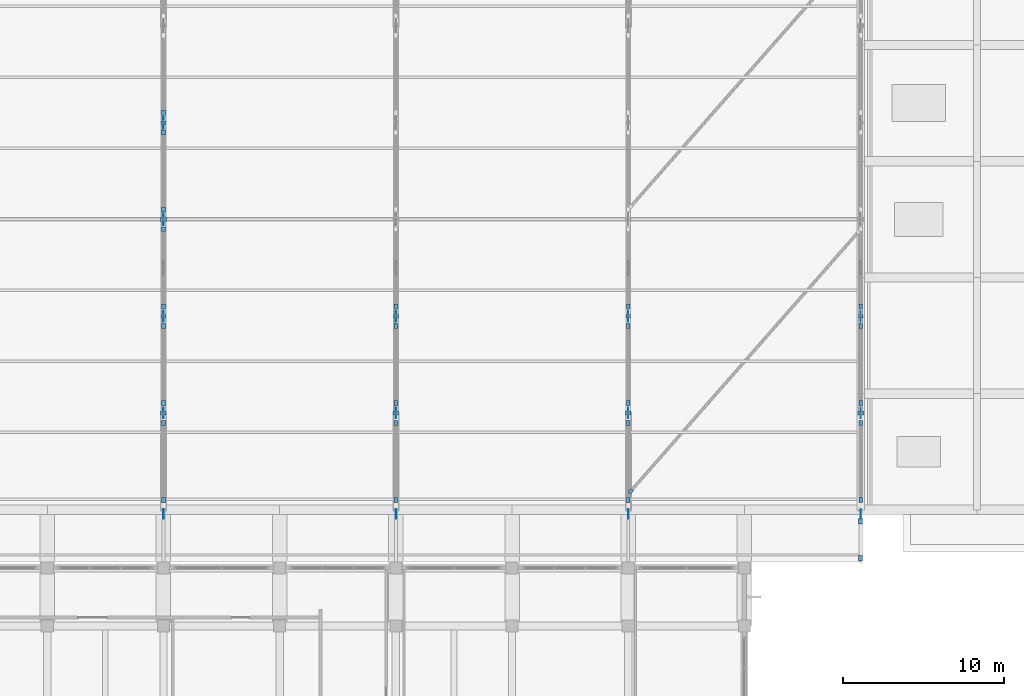
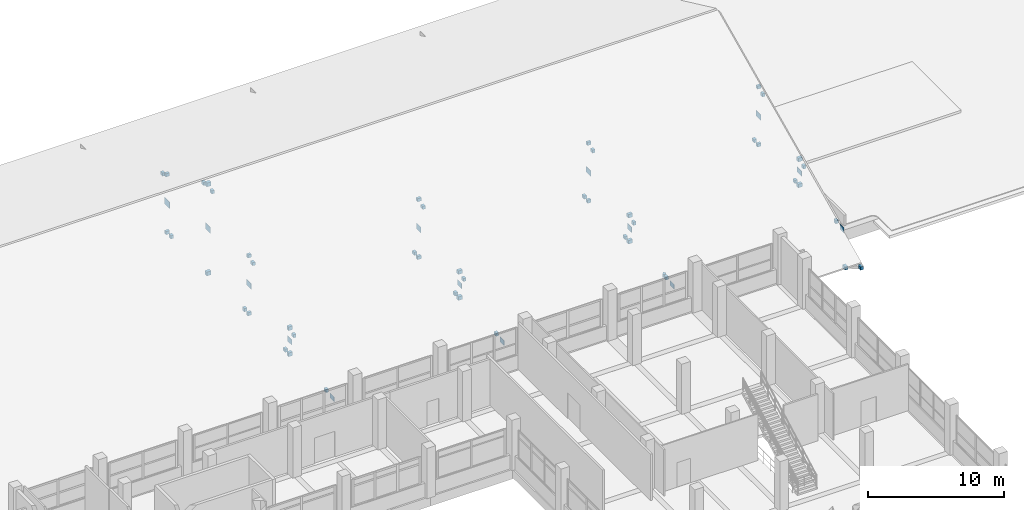
# One storey, part 124 of 141: 61 plates, 4 elements without a shape of their own.
"""IFC4 building model written with IfcOpenShell, lengths in metres."""

from ifc_helpers import new_model, si_unit, direction, frame, origin, origin_2d, place, context, subcontext, project, spatial, rectangle, extrude, material, layer, layer_set, type_object, element, aggregate, save


model = new_model("IFC4")

# Units and contexts
model_context = context("Model", 3, precision=1e-05, world=origin(), true_north=direction((0.0, 1.0)))
body_context = subcontext(model_context, "Body", "Model", "MODEL_VIEW")
ifc_project = project(units=[si_unit("LENGTHUNIT", "METRE"), si_unit("AREAUNIT", "SQUARE_METRE"), si_unit("VOLUMEUNIT", "CUBIC_METRE"), si_unit("PLANEANGLEUNIT", "RADIAN"), si_unit("MASSUNIT", "GRAM", prefix="KILO")], contexts=[model_context])

# Site, building, storey
site_placement = place(None, origin())
site = spatial("IfcSite", under=ifc_project, at=site_placement, CompositionType="ELEMENT")
building_placement = place(site_placement, origin())
building = spatial("IfcBuilding", under=site, at=building_placement, Name="Seraya Terrace Polytechnic", CompositionType="ELEMENT")
storey_placement = place(building_placement, frame((0.0, 0.0, 14.39990234375)))
storey = spatial("IfcBuildingStorey", under=building, at=storey_placement, Name="L03", CompositionType="ELEMENT", Elevation=14.39990234375)

# Assembly, plates
ifc_material = material(Name="Steel S355J2", Category="steel")
element_assembly_type = type_object("IfcElementAssemblyType", Name="TR-A1", PredefinedType="TRUSS", material=ifc_material)
assembly_1_placement = place(storey_placement, origin())
assembly_1 = element("IfcElementAssembly", 1, at=assembly_1_placement, inside=storey, type_object=element_assembly_type, Name="Pitched steel roof truss TR-05", AssemblyPlace="SITE", PredefinedType="TRUSS")
ifc_layer_1 = layer(ifc_material, 0.340087890625, Name="EP-01")
ifc_layer_set_1 = layer_set([ifc_layer_1], Name="Steel S355J2")
plate_type_1 = type_object("IfcPlateType", Name="EP-01", PredefinedType="USERDEFINED", material=ifc_layer_set_1)
plate_1_placement = place(storey_placement, frame((72.0, 97.199951171875, 0.10302734375), z_axis=(0.0, 0.0, 1.0), x_axis=(1.0, 0.0, 0.0)))
plate_1 = element("IfcPlate", 2, at=plate_1_placement, type_object=plate_type_1, Name="Hollow end-cap plate TR-05-V4 start", ObjectType="FLANGE_PLATE", PredefinedType="USERDEFINED", context=body_context, shape_type="SweptSolid", body=[
    extrude(rectangle(XDim=0.360107421875, YDim=0.280029296875, at=origin_2d()), origin(), (0.0, 0.0, 1.0), 0.340087890625),
])
plate_2_placement = place(storey_placement, frame((72.0, 97.199951171875, 8.08154296875), z_axis=(0.0, 0.0, 1.0), x_axis=(1.0, 0.0, 0.0)))
plate_2 = element("IfcPlate", 3, at=plate_2_placement, type_object=plate_type_1, Name="Hollow end-cap plate TR-05-V4 end", ObjectType="FLANGE_PLATE", PredefinedType="USERDEFINED", context=body_context, shape_type="SweptSolid", body=[
    extrude(rectangle(XDim=0.360107421875, YDim=0.280029296875, at=origin_2d()), origin(), (0.0, 0.0, 1.0), 0.340087890625),
])
ifc_layer_2 = layer(ifc_material, 0.320068359375, Name="EP-02")
ifc_layer_set_2 = layer_set([ifc_layer_2], Name="Steel S355J2")
plate_type_2 = type_object("IfcPlateType", Name="EP-02", PredefinedType="USERDEFINED", material=ifc_layer_set_2)
plate_3_placement = place(storey_placement, frame((72.0, 85.199951171875, 0.138671875), z_axis=(0.0, 0.0, 1.0), x_axis=(1.0, 0.0, 0.0)))
plate_3 = element("IfcPlate", 4, at=plate_3_placement, type_object=plate_type_2, Name="Hollow end-cap plate TR-05-V2 start", ObjectType="FLANGE_PLATE", PredefinedType="USERDEFINED", context=body_context, shape_type="SweptSolid", body=[
    extrude(rectangle(XDim=0.340087890625, YDim=0.260009765625, at=origin_2d()), origin(), (0.0, 0.0, 1.0), 0.320068359375),
])
plate_4_placement = place(storey_placement, frame((72.0, 85.199951171875, 2.4658203125), z_axis=(0.0, 0.0, 1.0), x_axis=(1.0, 0.0, 0.0)))
plate_4 = element("IfcPlate", 5, at=plate_4_placement, type_object=plate_type_2, Name="Hollow end-cap plate TR-05-V2 end", ObjectType="FLANGE_PLATE", PredefinedType="USERDEFINED", context=body_context, shape_type="SweptSolid", body=[
    extrude(rectangle(XDim=0.340087890625, YDim=0.260009765625, at=origin_2d()), origin(), (0.0, 0.0, 1.0), 0.320068359375),
])

assembly_2_placement = place(storey_placement, origin())
assembly_2 = element("IfcElementAssembly", 6, at=assembly_2_placement, inside=storey, type_object=element_assembly_type, Name="Pitched steel roof truss TR-06", AssemblyPlace="SITE", PredefinedType="TRUSS")
plate_5_placement = place(storey_placement, frame((86.39990234375, 85.199951171875, 0.138671875), z_axis=(0.0, 0.0, 1.0), x_axis=(1.0, 0.0, 0.0)))
plate_5 = element("IfcPlate", 7, at=plate_5_placement, type_object=plate_type_2, Name="Hollow end-cap plate TR-06-V2 start", ObjectType="FLANGE_PLATE", PredefinedType="USERDEFINED", context=body_context, shape_type="SweptSolid", body=[
    extrude(rectangle(XDim=0.340087890625, YDim=0.260009765625, at=origin_2d()), origin(), (0.0, 0.0, 1.0), 0.320068359375),
])
plate_6_placement = place(storey_placement, frame((86.39990234375, 85.199951171875, 2.4658203125), z_axis=(0.0, 0.0, 1.0), x_axis=(1.0, 0.0, 0.0)))
plate_6 = element("IfcPlate", 8, at=plate_6_placement, type_object=plate_type_2, Name="Hollow end-cap plate TR-06-V2 end", ObjectType="FLANGE_PLATE", PredefinedType="USERDEFINED", context=body_context, shape_type="SweptSolid", body=[
    extrude(rectangle(XDim=0.340087890625, YDim=0.260009765625, at=origin_2d()), origin(), (0.0, 0.0, 1.0), 0.320068359375),
])

assembly_3_placement = place(storey_placement, origin())
assembly_3 = element("IfcElementAssembly", 9, at=assembly_3_placement, inside=storey, type_object=element_assembly_type, Name="Pitched steel roof truss TR-07", AssemblyPlace="SITE", PredefinedType="TRUSS")
plate_7_placement = place(storey_placement, frame((100.800048828125, 85.199951171875, 0.138671875), z_axis=(0.0, 0.0, 1.0), x_axis=(1.0, 0.0, 0.0)))
plate_7 = element("IfcPlate", 10, at=plate_7_placement, type_object=plate_type_2, Name="Hollow end-cap plate TR-07-V2 start", ObjectType="FLANGE_PLATE", PredefinedType="USERDEFINED", context=body_context, shape_type="SweptSolid", body=[
    extrude(rectangle(XDim=0.340087890625, YDim=0.260009765625, at=origin_2d()), origin(), (0.0, 0.0, 1.0), 0.320068359375),
])
plate_8_placement = place(storey_placement, frame((100.800048828125, 85.199951171875, 2.4658203125), z_axis=(0.0, 0.0, 1.0), x_axis=(1.0, 0.0, 0.0)))
plate_8 = element("IfcPlate", 11, at=plate_8_placement, type_object=plate_type_2, Name="Hollow end-cap plate TR-07-V2 end", ObjectType="FLANGE_PLATE", PredefinedType="USERDEFINED", context=body_context, shape_type="SweptSolid", body=[
    extrude(rectangle(XDim=0.340087890625, YDim=0.260009765625, at=origin_2d()), origin(), (0.0, 0.0, 1.0), 0.320068359375),
])

assembly_4_placement = place(storey_placement, origin())
assembly_4 = element("IfcElementAssembly", 12, at=assembly_4_placement, inside=storey, type_object=element_assembly_type, Name="Pitched steel roof truss TR-08", AssemblyPlace="SITE", PredefinedType="TRUSS")
plate_9_placement = place(storey_placement, frame((115.199951171875, 85.199951171875, 0.138671875), z_axis=(0.0, 0.0, 1.0), x_axis=(1.0, 0.0, 0.0)))
plate_9 = element("IfcPlate", 13, at=plate_9_placement, type_object=plate_type_2, Name="Hollow end-cap plate TR-08-V2 start", ObjectType="FLANGE_PLATE", PredefinedType="USERDEFINED", context=body_context, shape_type="SweptSolid", body=[
    extrude(rectangle(XDim=0.340087890625, YDim=0.260009765625, at=origin_2d()), origin(), (0.0, 0.0, 1.0), 0.320068359375),
])
plate_10_placement = place(storey_placement, frame((115.199951171875, 85.199951171875, 2.4658203125), z_axis=(0.0, 0.0, 1.0), x_axis=(1.0, 0.0, 0.0)))
plate_10 = element("IfcPlate", 14, at=plate_10_placement, type_object=plate_type_2, Name="Hollow end-cap plate TR-08-V2 end", ObjectType="FLANGE_PLATE", PredefinedType="USERDEFINED", context=body_context, shape_type="SweptSolid", body=[
    extrude(rectangle(XDim=0.340087890625, YDim=0.260009765625, at=origin_2d()), origin(), (0.0, 0.0, 1.0), 0.320068359375),
])

# Plate
ifc_layer_3 = layer(ifc_material, 0.280029296875, Name="EP-03")
ifc_layer_set_3 = layer_set([ifc_layer_3], Name="Steel S355J2")
plate_type_3 = type_object("IfcPlateType", Name="EP-03", PredefinedType="USERDEFINED", material=ifc_layer_set_3)
plate_11_placement = place(storey_placement, frame((72.0, 91.199951171875, 0.13330078125), z_axis=(0.0, 0.0, 1.0), x_axis=(1.0, 0.0, 0.0)))
plate_11 = element("IfcPlate", 15, at=plate_11_placement, type_object=plate_type_3, Name="Hollow end-cap plate TR-05-V3 start", ObjectType="FLANGE_PLATE", PredefinedType="USERDEFINED", context=body_context, shape_type="SweptSolid", body=[
    extrude(rectangle(XDim=0.300048828125, YDim=0.219970703125, at=origin_2d()), origin(), (0.0, 0.0, 1.0), 0.280029296875),
])

plate_12_placement = place(storey_placement, frame((72.0, 91.199951171875, 5.3115234375), z_axis=(0.0, 0.0, 1.0), x_axis=(1.0, 0.0, 0.0)))
plate_12 = element("IfcPlate", 16, at=plate_12_placement, type_object=plate_type_3, Name="Hollow end-cap plate TR-05-V3 end", ObjectType="FLANGE_PLATE", PredefinedType="USERDEFINED", context=body_context, shape_type="SweptSolid", body=[
    extrude(rectangle(XDim=0.300048828125, YDim=0.219970703125, at=origin_2d()), origin(), (0.0, 0.0, 1.0), 0.280029296875),
])

plate_13_placement = place(storey_placement, frame((72.0, 103.199951171875, 0.13330078125), z_axis=(0.0, 0.0, 1.0), x_axis=(1.0, 0.0, 0.0)))
plate_13 = element("IfcPlate", 17, at=plate_13_placement, type_object=plate_type_3, Name="Hollow end-cap plate TR-05-V5 start", ObjectType="FLANGE_PLATE", PredefinedType="USERDEFINED", context=body_context, shape_type="SweptSolid", body=[
    extrude(rectangle(XDim=0.300048828125, YDim=0.219970703125, at=origin_2d()), origin(), (0.0, 0.0, 1.0), 0.280029296875),
])

plate_14_placement = place(storey_placement, frame((72.0, 103.199951171875, 5.3115234375), z_axis=(0.0, 0.0, 1.0), x_axis=(1.0, 0.0, 0.0)))
plate_14 = element("IfcPlate", 18, at=plate_14_placement, type_object=plate_type_3, Name="Hollow end-cap plate TR-05-V5 end", ObjectType="FLANGE_PLATE", PredefinedType="USERDEFINED", context=body_context, shape_type="SweptSolid", body=[
    extrude(rectangle(XDim=0.300048828125, YDim=0.219970703125, at=origin_2d()), origin(), (0.0, 0.0, 1.0), 0.280029296875),
])

plate_15_placement = place(storey_placement, frame((72.0, 79.8125, 0.17333984375), z_axis=(0.0, 0.0, 1.0), x_axis=(0.0, 1.0, 0.0)))
plate_15 = element("IfcPlate", 19, at=plate_15_placement, type_object=plate_type_3, Name="Hollow end-cap plate TR-05-D1 start", ObjectType="FLANGE_PLATE", PredefinedType="USERDEFINED", context=body_context, shape_type="SweptSolid", body=[
    extrude(rectangle(XDim=0.300048828125, YDim=0.219970703125, at=origin_2d()), origin(), (0.0, 0.0, 1.0), 0.280029296875),
])

plate_16_placement = place(storey_placement, frame((72.0, 84.58740234375, 2.181640625), z_axis=(0.0, 0.0, 1.0), x_axis=(0.0, 1.0, 0.0)))
plate_16 = element("IfcPlate", 20, at=plate_16_placement, type_object=plate_type_3, Name="Hollow end-cap plate TR-05-D1 end", ObjectType="FLANGE_PLATE", PredefinedType="USERDEFINED", context=body_context, shape_type="SweptSolid", body=[
    extrude(rectangle(XDim=0.300048828125, YDim=0.219970703125, at=origin_2d()), origin(), (0.0, 0.0, 1.0), 0.280029296875),
])

plate_17_placement = place(storey_placement, frame((72.0, 85.814453125, 0.1455078125), z_axis=(0.0, 0.0, 1.0), x_axis=(0.0, 1.0, 0.0)))
plate_17 = element("IfcPlate", 21, at=plate_17_placement, type_object=plate_type_3, Name="Hollow end-cap plate TR-05-D2 start", ObjectType="FLANGE_PLATE", PredefinedType="USERDEFINED", context=body_context, shape_type="SweptSolid", body=[
    extrude(rectangle(XDim=0.300048828125, YDim=0.219970703125, at=origin_2d()), origin(), (0.0, 0.0, 1.0), 0.280029296875),
])

plate_18_placement = place(storey_placement, frame((72.0, 90.585693359375, 5.009765625), z_axis=(0.0, 0.0, 1.0), x_axis=(0.0, 1.0, 0.0)))
plate_18 = element("IfcPlate", 22, at=plate_18_placement, type_object=plate_type_3, Name="Hollow end-cap plate TR-05-D2 end", ObjectType="FLANGE_PLATE", PredefinedType="USERDEFINED", context=body_context, shape_type="SweptSolid", body=[
    extrude(rectangle(XDim=0.300048828125, YDim=0.219970703125, at=origin_2d()), origin(), (0.0, 0.0, 1.0), 0.280029296875),
])

plate_19_placement = place(storey_placement, frame((72.0, 91.81591796875, 0.14404296875), z_axis=(0.0, 0.0, 1.0), x_axis=(0.0, 1.0, 0.0)))
plate_19 = element("IfcPlate", 23, at=plate_19_placement, type_object=plate_type_3, Name="Hollow end-cap plate TR-05-D3 start", ObjectType="FLANGE_PLATE", PredefinedType="USERDEFINED", context=body_context, shape_type="SweptSolid", body=[
    extrude(rectangle(XDim=0.300048828125, YDim=0.219970703125, at=origin_2d()), origin(), (0.0, 0.0, 1.0), 0.280029296875),
])

plate_20_placement = place(storey_placement, frame((72.0, 96.584228515625, 7.81103515625), z_axis=(0.0, 0.0, 1.0), x_axis=(0.0, 1.0, 0.0)))
plate_20 = element("IfcPlate", 24, at=plate_20_placement, type_object=plate_type_3, Name="Hollow end-cap plate TR-05-D3 end", ObjectType="FLANGE_PLATE", PredefinedType="USERDEFINED", context=body_context, shape_type="SweptSolid", body=[
    extrude(rectangle(XDim=0.300048828125, YDim=0.219970703125, at=origin_2d()), origin(), (0.0, 0.0, 1.0), 0.280029296875),
])

plate_21_placement = place(storey_placement, frame((72.0, 97.81591796875, 7.81103515625), z_axis=(0.0, 0.0, 1.0), x_axis=(0.0, 1.0, 0.0)))
plate_21 = element("IfcPlate", 25, at=plate_21_placement, type_object=plate_type_3, Name="Hollow end-cap plate TR-05-D4 start", ObjectType="FLANGE_PLATE", PredefinedType="USERDEFINED", context=body_context, shape_type="SweptSolid", body=[
    extrude(rectangle(XDim=0.300048828125, YDim=0.219970703125, at=origin_2d()), origin(), (0.0, 0.0, 1.0), 0.280029296875),
])

plate_22_placement = place(storey_placement, frame((72.0, 102.584228515625, 0.14404296875), z_axis=(0.0, 0.0, 1.0), x_axis=(0.0, 1.0, 0.0)))
plate_22 = element("IfcPlate", 26, at=plate_22_placement, type_object=plate_type_3, Name="Hollow end-cap plate TR-05-D4 end", ObjectType="FLANGE_PLATE", PredefinedType="USERDEFINED", context=body_context, shape_type="SweptSolid", body=[
    extrude(rectangle(XDim=0.300048828125, YDim=0.219970703125, at=origin_2d()), origin(), (0.0, 0.0, 1.0), 0.280029296875),
])

plate_23_placement = place(storey_placement, frame((72.0, 103.814453125, 5.009765625), z_axis=(0.0, 0.0, 1.0), x_axis=(0.0, 1.0, 0.0)))
plate_23 = element("IfcPlate", 27, at=plate_23_placement, type_object=plate_type_3, Name="Hollow end-cap plate TR-05-D5 start", ObjectType="FLANGE_PLATE", PredefinedType="USERDEFINED", context=body_context, shape_type="SweptSolid", body=[
    extrude(rectangle(XDim=0.300048828125, YDim=0.219970703125, at=origin_2d()), origin(), (0.0, 0.0, 1.0), 0.280029296875),
])

plate_24_placement = place(storey_placement, frame((86.39990234375, 91.199951171875, 0.13330078125), z_axis=(0.0, 0.0, 1.0), x_axis=(1.0, 0.0, 0.0)))
plate_24 = element("IfcPlate", 28, at=plate_24_placement, type_object=plate_type_3, Name="Hollow end-cap plate TR-06-V3 start", ObjectType="FLANGE_PLATE", PredefinedType="USERDEFINED", context=body_context, shape_type="SweptSolid", body=[
    extrude(rectangle(XDim=0.300048828125, YDim=0.219970703125, at=origin_2d()), origin(), (0.0, 0.0, 1.0), 0.280029296875),
])

plate_25_placement = place(storey_placement, frame((86.39990234375, 91.199951171875, 5.3115234375), z_axis=(0.0, 0.0, 1.0), x_axis=(1.0, 0.0, 0.0)))
plate_25 = element("IfcPlate", 29, at=plate_25_placement, type_object=plate_type_3, Name="Hollow end-cap plate TR-06-V3 end", ObjectType="FLANGE_PLATE", PredefinedType="USERDEFINED", context=body_context, shape_type="SweptSolid", body=[
    extrude(rectangle(XDim=0.300048828125, YDim=0.219970703125, at=origin_2d()), origin(), (0.0, 0.0, 1.0), 0.280029296875),
])

plate_26_placement = place(storey_placement, frame((86.39990234375, 79.8125, 0.17333984375), z_axis=(0.0, 0.0, 1.0), x_axis=(0.0, 1.0, 0.0)))
plate_26 = element("IfcPlate", 30, at=plate_26_placement, type_object=plate_type_3, Name="Hollow end-cap plate TR-06-D1 start", ObjectType="FLANGE_PLATE", PredefinedType="USERDEFINED", context=body_context, shape_type="SweptSolid", body=[
    extrude(rectangle(XDim=0.300048828125, YDim=0.219970703125, at=origin_2d()), origin(), (0.0, 0.0, 1.0), 0.280029296875),
])

plate_27_placement = place(storey_placement, frame((86.39990234375, 84.58740234375, 2.181640625), z_axis=(0.0, 0.0, 1.0), x_axis=(0.0, 1.0, 0.0)))
plate_27 = element("IfcPlate", 31, at=plate_27_placement, type_object=plate_type_3, Name="Hollow end-cap plate TR-06-D1 end", ObjectType="FLANGE_PLATE", PredefinedType="USERDEFINED", context=body_context, shape_type="SweptSolid", body=[
    extrude(rectangle(XDim=0.300048828125, YDim=0.219970703125, at=origin_2d()), origin(), (0.0, 0.0, 1.0), 0.280029296875),
])

plate_28_placement = place(storey_placement, frame((86.39990234375, 85.814453125, 0.1455078125), z_axis=(0.0, 0.0, 1.0), x_axis=(0.0, 1.0, 0.0)))
plate_28 = element("IfcPlate", 32, at=plate_28_placement, type_object=plate_type_3, Name="Hollow end-cap plate TR-06-D2 start", ObjectType="FLANGE_PLATE", PredefinedType="USERDEFINED", context=body_context, shape_type="SweptSolid", body=[
    extrude(rectangle(XDim=0.300048828125, YDim=0.219970703125, at=origin_2d()), origin(), (0.0, 0.0, 1.0), 0.280029296875),
])

plate_29_placement = place(storey_placement, frame((86.39990234375, 90.585693359375, 5.009765625), z_axis=(0.0, 0.0, 1.0), x_axis=(0.0, 1.0, 0.0)))
plate_29 = element("IfcPlate", 33, at=plate_29_placement, type_object=plate_type_3, Name="Hollow end-cap plate TR-06-D2 end", ObjectType="FLANGE_PLATE", PredefinedType="USERDEFINED", context=body_context, shape_type="SweptSolid", body=[
    extrude(rectangle(XDim=0.300048828125, YDim=0.219970703125, at=origin_2d()), origin(), (0.0, 0.0, 1.0), 0.280029296875),
])

plate_30_placement = place(storey_placement, frame((86.39990234375, 91.81591796875, 0.14404296875), z_axis=(0.0, 0.0, 1.0), x_axis=(0.0, 1.0, 0.0)))
plate_30 = element("IfcPlate", 34, at=plate_30_placement, type_object=plate_type_3, Name="Hollow end-cap plate TR-06-D3 start", ObjectType="FLANGE_PLATE", PredefinedType="USERDEFINED", context=body_context, shape_type="SweptSolid", body=[
    extrude(rectangle(XDim=0.300048828125, YDim=0.219970703125, at=origin_2d()), origin(), (0.0, 0.0, 1.0), 0.280029296875),
])

plate_31_placement = place(storey_placement, frame((100.800048828125, 91.199951171875, 0.13330078125), z_axis=(0.0, 0.0, 1.0), x_axis=(1.0, 0.0, 0.0)))
plate_31 = element("IfcPlate", 35, at=plate_31_placement, type_object=plate_type_3, Name="Hollow end-cap plate TR-07-V3 start", ObjectType="FLANGE_PLATE", PredefinedType="USERDEFINED", context=body_context, shape_type="SweptSolid", body=[
    extrude(rectangle(XDim=0.300048828125, YDim=0.219970703125, at=origin_2d()), origin(), (0.0, 0.0, 1.0), 0.280029296875),
])

plate_32_placement = place(storey_placement, frame((100.800048828125, 91.199951171875, 5.3115234375), z_axis=(0.0, 0.0, 1.0), x_axis=(1.0, 0.0, 0.0)))
plate_32 = element("IfcPlate", 36, at=plate_32_placement, type_object=plate_type_3, Name="Hollow end-cap plate TR-07-V3 end", ObjectType="FLANGE_PLATE", PredefinedType="USERDEFINED", context=body_context, shape_type="SweptSolid", body=[
    extrude(rectangle(XDim=0.300048828125, YDim=0.219970703125, at=origin_2d()), origin(), (0.0, 0.0, 1.0), 0.280029296875),
])

plate_33_placement = place(storey_placement, frame((100.800048828125, 79.8125, 0.17333984375), z_axis=(0.0, 0.0, 1.0), x_axis=(0.0, 1.0, 0.0)))
plate_33 = element("IfcPlate", 37, at=plate_33_placement, type_object=plate_type_3, Name="Hollow end-cap plate TR-07-D1 start", ObjectType="FLANGE_PLATE", PredefinedType="USERDEFINED", context=body_context, shape_type="SweptSolid", body=[
    extrude(rectangle(XDim=0.300048828125, YDim=0.219970703125, at=origin_2d()), origin(), (0.0, 0.0, 1.0), 0.280029296875),
])

plate_34_placement = place(storey_placement, frame((100.800048828125, 84.58740234375, 2.181640625), z_axis=(0.0, 0.0, 1.0), x_axis=(0.0, 1.0, 0.0)))
plate_34 = element("IfcPlate", 38, at=plate_34_placement, type_object=plate_type_3, Name="Hollow end-cap plate TR-07-D1 end", ObjectType="FLANGE_PLATE", PredefinedType="USERDEFINED", context=body_context, shape_type="SweptSolid", body=[
    extrude(rectangle(XDim=0.300048828125, YDim=0.219970703125, at=origin_2d()), origin(), (0.0, 0.0, 1.0), 0.280029296875),
])

plate_35_placement = place(storey_placement, frame((100.800048828125, 85.814453125, 0.1455078125), z_axis=(0.0, 0.0, 1.0), x_axis=(0.0, 1.0, 0.0)))
plate_35 = element("IfcPlate", 39, at=plate_35_placement, type_object=plate_type_3, Name="Hollow end-cap plate TR-07-D2 start", ObjectType="FLANGE_PLATE", PredefinedType="USERDEFINED", context=body_context, shape_type="SweptSolid", body=[
    extrude(rectangle(XDim=0.300048828125, YDim=0.219970703125, at=origin_2d()), origin(), (0.0, 0.0, 1.0), 0.280029296875),
])

plate_36_placement = place(storey_placement, frame((100.800048828125, 90.585693359375, 5.009765625), z_axis=(0.0, 0.0, 1.0), x_axis=(0.0, 1.0, 0.0)))
plate_36 = element("IfcPlate", 40, at=plate_36_placement, type_object=plate_type_3, Name="Hollow end-cap plate TR-07-D2 end", ObjectType="FLANGE_PLATE", PredefinedType="USERDEFINED", context=body_context, shape_type="SweptSolid", body=[
    extrude(rectangle(XDim=0.300048828125, YDim=0.219970703125, at=origin_2d()), origin(), (0.0, 0.0, 1.0), 0.280029296875),
])

plate_37_placement = place(storey_placement, frame((100.800048828125, 91.81591796875, 0.14404296875), z_axis=(0.0, 0.0, 1.0), x_axis=(0.0, 1.0, 0.0)))
plate_37 = element("IfcPlate", 41, at=plate_37_placement, type_object=plate_type_3, Name="Hollow end-cap plate TR-07-D3 start", ObjectType="FLANGE_PLATE", PredefinedType="USERDEFINED", context=body_context, shape_type="SweptSolid", body=[
    extrude(rectangle(XDim=0.300048828125, YDim=0.219970703125, at=origin_2d()), origin(), (0.0, 0.0, 1.0), 0.280029296875),
])

plate_38_placement = place(storey_placement, frame((115.199951171875, 91.199951171875, 0.13330078125), z_axis=(0.0, 0.0, 1.0), x_axis=(1.0, 0.0, 0.0)))
plate_38 = element("IfcPlate", 42, at=plate_38_placement, type_object=plate_type_3, Name="Hollow end-cap plate TR-08-V3 start", ObjectType="FLANGE_PLATE", PredefinedType="USERDEFINED", context=body_context, shape_type="SweptSolid", body=[
    extrude(rectangle(XDim=0.300048828125, YDim=0.219970703125, at=origin_2d()), origin(), (0.0, 0.0, 1.0), 0.280029296875),
])

plate_39_placement = place(storey_placement, frame((115.199951171875, 91.199951171875, 5.3115234375), z_axis=(0.0, 0.0, 1.0), x_axis=(1.0, 0.0, 0.0)))
plate_39 = element("IfcPlate", 43, at=plate_39_placement, type_object=plate_type_3, Name="Hollow end-cap plate TR-08-V3 end", ObjectType="FLANGE_PLATE", PredefinedType="USERDEFINED", context=body_context, shape_type="SweptSolid", body=[
    extrude(rectangle(XDim=0.300048828125, YDim=0.219970703125, at=origin_2d()), origin(), (0.0, 0.0, 1.0), 0.280029296875),
])

plate_40_placement = place(storey_placement, frame((115.199951171875, 79.8125, 0.17333984375), z_axis=(0.0, 0.0, 1.0), x_axis=(0.0, 1.0, 0.0)))
plate_40 = element("IfcPlate", 44, at=plate_40_placement, type_object=plate_type_3, Name="Hollow end-cap plate TR-08-D1 start", ObjectType="FLANGE_PLATE", PredefinedType="USERDEFINED", context=body_context, shape_type="SweptSolid", body=[
    extrude(rectangle(XDim=0.300048828125, YDim=0.219970703125, at=origin_2d()), origin(), (0.0, 0.0, 1.0), 0.280029296875),
])

plate_41_placement = place(storey_placement, frame((115.199951171875, 84.58740234375, 2.181640625), z_axis=(0.0, 0.0, 1.0), x_axis=(0.0, 1.0, 0.0)))
plate_41 = element("IfcPlate", 45, at=plate_41_placement, type_object=plate_type_3, Name="Hollow end-cap plate TR-08-D1 end", ObjectType="FLANGE_PLATE", PredefinedType="USERDEFINED", context=body_context, shape_type="SweptSolid", body=[
    extrude(rectangle(XDim=0.300048828125, YDim=0.219970703125, at=origin_2d()), origin(), (0.0, 0.0, 1.0), 0.280029296875),
])

plate_42_placement = place(storey_placement, frame((115.199951171875, 85.814453125, 0.1455078125), z_axis=(0.0, 0.0, 1.0), x_axis=(0.0, 1.0, 0.0)))
plate_42 = element("IfcPlate", 46, at=plate_42_placement, type_object=plate_type_3, Name="Hollow end-cap plate TR-08-D2 start", ObjectType="FLANGE_PLATE", PredefinedType="USERDEFINED", context=body_context, shape_type="SweptSolid", body=[
    extrude(rectangle(XDim=0.300048828125, YDim=0.219970703125, at=origin_2d()), origin(), (0.0, 0.0, 1.0), 0.280029296875),
])

plate_43_placement = place(storey_placement, frame((115.199951171875, 90.585693359375, 5.009765625), z_axis=(0.0, 0.0, 1.0), x_axis=(0.0, 1.0, 0.0)))
plate_43 = element("IfcPlate", 47, at=plate_43_placement, type_object=plate_type_3, Name="Hollow end-cap plate TR-08-D2 end", ObjectType="FLANGE_PLATE", PredefinedType="USERDEFINED", context=body_context, shape_type="SweptSolid", body=[
    extrude(rectangle(XDim=0.300048828125, YDim=0.219970703125, at=origin_2d()), origin(), (0.0, 0.0, 1.0), 0.280029296875),
])

plate_44_placement = place(storey_placement, frame((115.199951171875, 91.81591796875, 0.14404296875), z_axis=(0.0, 0.0, 1.0), x_axis=(0.0, 1.0, 0.0)))
plate_44 = element("IfcPlate", 48, at=plate_44_placement, type_object=plate_type_3, Name="Hollow end-cap plate TR-08-D3 start", ObjectType="FLANGE_PLATE", PredefinedType="USERDEFINED", context=body_context, shape_type="SweptSolid", body=[
    extrude(rectangle(XDim=0.300048828125, YDim=0.219970703125, at=origin_2d()), origin(), (0.0, 0.0, 1.0), 0.280029296875),
])

# Plates
plate_45_placement = place(storey_placement, frame((100.936767578125, 80.343994140625, 0.01025390625), z_axis=(0.0, 0.0, 1.0), x_axis=(0.659870537582, 0.751379314082, 0.0)))
element("IfcPlate", 49, at=plate_45_placement, inside=storey, type_object=plate_type_3, Name="Hollow end-cap plate RBR-B7-S1 start", ObjectType="FLANGE_PLATE", PredefinedType="USERDEFINED", context=body_context, shape_type="SweptSolid", body=[
    extrude(rectangle(XDim=0.300048828125, YDim=0.219970703125, at=origin_2d()), origin(), (0.0, 0.0, 1.0), 0.280029296875),
])
ifc_layer_4 = layer(ifc_material, 0.300048828125, Name="EP-04")
ifc_layer_set_4 = layer_set([ifc_layer_4], Name="Steel S355J2")
plate_type_4 = type_object("IfcPlateType", Name="EP-04", PredefinedType="USERDEFINED", material=ifc_layer_set_4)
for number, where, z_axis, x_axis, name in (
    (50, (115.199951171875, 78.491943359375, -3.15380859375), (0.0, 0.0, 1.0), (0.0, 1.0, 0.0), "Hollow end-cap plate EAVE-KBR-08-S start"),
    (51, (115.199951171875, 76.193115234375, -1.7783203125), (0.0, 0.0, 1.0), (0.0, 1.0, 0.0), "Hollow end-cap plate EAVE-KBR-08-S end"),
):
    element("IfcPlate", number, at=place(storey_placement, frame(where, z_axis=z_axis, x_axis=x_axis)), inside=storey, type_object=plate_type_4, Name=name, ObjectType="FLANGE_PLATE", PredefinedType="USERDEFINED", context=body_context, shape_type="SweptSolid", body=[
        extrude(rectangle(XDim=0.340087890625, YDim=0.239990234375, at=origin_2d()), origin(), (0.0, 0.0, 1.0), 0.300048828125),
    ])

# Plate
ifc_layer_5 = layer(ifc_material, 0.01806640625, Name="TN-01")
ifc_layer_set_5 = layer_set([ifc_layer_5], Name="Steel S355J2")
plate_type_5 = type_object("IfcPlateType", Name="TN-01", PredefinedType="USERDEFINED", material=ifc_layer_set_5)
plate_46_placement = place(storey_placement, frame((72.0, 78.949951171875, -0.07470703125), z_axis=(0.0, 0.0, 1.0), x_axis=(0.0, 1.0, 0.0)))
plate_46 = element("IfcPlate", 52, at=plate_46_placement, type_object=plate_type_5, Name="TR-05 bolted node gusset plate TN-01", ObjectType="GUSSET_PLATE", PredefinedType="USERDEFINED", context=body_context, shape_type="SweptSolid", body=[
    extrude(rectangle(XDim=0.60009765625, YDim=0.01806640625, at=origin_2d()), origin(), (0.0, 0.0, 1.0), 0.449951171875),
])

plate_47_placement = place(storey_placement, frame((86.39990234375, 78.949951171875, -0.07470703125), z_axis=(0.0, 0.0, 1.0), x_axis=(0.0, 1.0, 0.0)))
plate_47 = element("IfcPlate", 53, at=plate_47_placement, type_object=plate_type_5, Name="TR-06 bolted node gusset plate TN-01", ObjectType="GUSSET_PLATE", PredefinedType="USERDEFINED", context=body_context, shape_type="SweptSolid", body=[
    extrude(rectangle(XDim=0.60009765625, YDim=0.01806640625, at=origin_2d()), origin(), (0.0, 0.0, 1.0), 0.449951171875),
])

plate_48_placement = place(storey_placement, frame((100.800048828125, 78.949951171875, -0.07470703125), z_axis=(0.0, 0.0, 1.0), x_axis=(0.0, 1.0, 0.0)))
plate_48 = element("IfcPlate", 54, at=plate_48_placement, type_object=plate_type_5, Name="TR-07 bolted node gusset plate TN-01", ObjectType="GUSSET_PLATE", PredefinedType="USERDEFINED", context=body_context, shape_type="SweptSolid", body=[
    extrude(rectangle(XDim=0.60009765625, YDim=0.01806640625, at=origin_2d()), origin(), (0.0, 0.0, 1.0), 0.449951171875),
])

plate_49_placement = place(storey_placement, frame((115.199951171875, 78.949951171875, -0.07470703125), z_axis=(0.0, 0.0, 1.0), x_axis=(0.0, 1.0, 0.0)))
plate_49 = element("IfcPlate", 55, at=plate_49_placement, type_object=plate_type_5, Name="TR-08 bolted node gusset plate TN-01", ObjectType="GUSSET_PLATE", PredefinedType="USERDEFINED", context=body_context, shape_type="SweptSolid", body=[
    extrude(rectangle(XDim=0.60009765625, YDim=0.01806640625, at=origin_2d()), origin(), (0.0, 0.0, 1.0), 0.449951171875),
])

ifc_layer_6 = layer(ifc_material, 0.02001953125, Name="TN-02")
ifc_layer_set_6 = layer_set([ifc_layer_6], Name="Steel S355J2")
plate_type_6 = type_object("IfcPlateType", Name="TN-02", PredefinedType="USERDEFINED", material=ifc_layer_set_6)
plate_50_placement = place(storey_placement, frame((72.0, 85.199951171875, 1.235107421875), z_axis=(0.0, 0.0, 1.0), x_axis=(0.0, 1.0, 0.0)))
plate_50 = element("IfcPlate", 56, at=plate_50_placement, type_object=plate_type_6, Name="TR-05 bolted node gusset plate TN-02", ObjectType="GUSSET_PLATE", PredefinedType="USERDEFINED", context=body_context, shape_type="SweptSolid", body=[
    extrude(rectangle(XDim=0.639892578125, YDim=0.02001953125, at=origin_2d()), origin(), (0.0, 0.0, 1.0), 0.47998046875),
])

plate_51_placement = place(storey_placement, frame((86.39990234375, 85.199951171875, 1.235107421875), z_axis=(0.0, 0.0, 1.0), x_axis=(0.0, 1.0, 0.0)))
plate_51 = element("IfcPlate", 57, at=plate_51_placement, type_object=plate_type_6, Name="TR-06 bolted node gusset plate TN-02", ObjectType="GUSSET_PLATE", PredefinedType="USERDEFINED", context=body_context, shape_type="SweptSolid", body=[
    extrude(rectangle(XDim=0.639892578125, YDim=0.02001953125, at=origin_2d()), origin(), (0.0, 0.0, 1.0), 0.47998046875),
])

plate_52_placement = place(storey_placement, frame((100.800048828125, 85.199951171875, 1.235107421875), z_axis=(0.0, 0.0, 1.0), x_axis=(0.0, 1.0, 0.0)))
plate_52 = element("IfcPlate", 58, at=plate_52_placement, type_object=plate_type_6, Name="TR-07 bolted node gusset plate TN-02", ObjectType="GUSSET_PLATE", PredefinedType="USERDEFINED", context=body_context, shape_type="SweptSolid", body=[
    extrude(rectangle(XDim=0.639892578125, YDim=0.02001953125, at=origin_2d()), origin(), (0.0, 0.0, 1.0), 0.47998046875),
])

plate_53_placement = place(storey_placement, frame((115.199951171875, 85.199951171875, 1.235107421875), z_axis=(0.0, 0.0, 1.0), x_axis=(0.0, 1.0, 0.0)))
plate_53 = element("IfcPlate", 59, at=plate_53_placement, type_object=plate_type_6, Name="TR-08 bolted node gusset plate TN-02", ObjectType="GUSSET_PLATE", PredefinedType="USERDEFINED", context=body_context, shape_type="SweptSolid", body=[
    extrude(rectangle(XDim=0.639892578125, YDim=0.02001953125, at=origin_2d()), origin(), (0.0, 0.0, 1.0), 0.47998046875),
])

ifc_layer_7 = layer(ifc_material, 0.02197265625, Name="TN-03")
ifc_layer_set_7 = layer_set([ifc_layer_7], Name="Steel S355J2")
plate_type_7 = type_object("IfcPlateType", Name="TN-03", PredefinedType="USERDEFINED", material=ifc_layer_set_7)
plate_54_placement = place(storey_placement, frame((72.0, 91.199951171875, 2.6201171875), z_axis=(0.0, 0.0, 1.0), x_axis=(0.0, 1.0, 0.0)))
plate_54 = element("IfcPlate", 60, at=plate_54_placement, type_object=plate_type_7, Name="TR-05 bolted node gusset plate TN-03", ObjectType="GUSSET_PLATE", PredefinedType="USERDEFINED", context=body_context, shape_type="SweptSolid", body=[
    extrude(rectangle(XDim=0.679931640625, YDim=0.02197265625, at=origin_2d()), origin(), (0.0, 0.0, 1.0), 0.510009765625),
])

plate_55_placement = place(storey_placement, frame((86.39990234375, 91.199951171875, 2.6201171875), z_axis=(0.0, 0.0, 1.0), x_axis=(0.0, 1.0, 0.0)))
plate_55 = element("IfcPlate", 61, at=plate_55_placement, type_object=plate_type_7, Name="TR-06 bolted node gusset plate TN-03", ObjectType="GUSSET_PLATE", PredefinedType="USERDEFINED", context=body_context, shape_type="SweptSolid", body=[
    extrude(rectangle(XDim=0.679931640625, YDim=0.02197265625, at=origin_2d()), origin(), (0.0, 0.0, 1.0), 0.510009765625),
])

aggregate(assembly_2, [plate_47, plate_5, plate_6, plate_51, plate_24, plate_25, plate_55, plate_26, plate_27, plate_28, plate_29, plate_30])

plate_56_placement = place(storey_placement, frame((100.800048828125, 91.199951171875, 2.6201171875), z_axis=(0.0, 0.0, 1.0), x_axis=(0.0, 1.0, 0.0)))
plate_56 = element("IfcPlate", 62, at=plate_56_placement, type_object=plate_type_7, Name="TR-07 bolted node gusset plate TN-03", ObjectType="GUSSET_PLATE", PredefinedType="USERDEFINED", context=body_context, shape_type="SweptSolid", body=[
    extrude(rectangle(XDim=0.679931640625, YDim=0.02197265625, at=origin_2d()), origin(), (0.0, 0.0, 1.0), 0.510009765625),
])

aggregate(assembly_3, [plate_48, plate_7, plate_8, plate_52, plate_31, plate_32, plate_56, plate_33, plate_34, plate_35, plate_36, plate_37])

plate_57_placement = place(storey_placement, frame((115.199951171875, 91.199951171875, 2.6201171875), z_axis=(0.0, 0.0, 1.0), x_axis=(0.0, 1.0, 0.0)))
plate_57 = element("IfcPlate", 63, at=plate_57_placement, type_object=plate_type_7, Name="TR-08 bolted node gusset plate TN-03", ObjectType="GUSSET_PLATE", PredefinedType="USERDEFINED", context=body_context, shape_type="SweptSolid", body=[
    extrude(rectangle(XDim=0.679931640625, YDim=0.02197265625, at=origin_2d()), origin(), (0.0, 0.0, 1.0), 0.510009765625),
])

aggregate(assembly_4, [plate_49, plate_9, plate_10, plate_53, plate_38, plate_39, plate_57, plate_40, plate_41, plate_42, plate_43, plate_44])

ifc_layer_8 = layer(ifc_material, 0.02392578125, Name="TN-04")
ifc_layer_set_8 = layer_set([ifc_layer_8], Name="Steel S355J2")
plate_type_8 = type_object("IfcPlateType", Name="TN-04", PredefinedType="USERDEFINED", material=ifc_layer_set_8)
plate_58_placement = place(storey_placement, frame((72.0, 97.199951171875, 4.005126953125), z_axis=(0.0, 0.0, 1.0), x_axis=(0.0, 1.0, 0.0)))
plate_58 = element("IfcPlate", 64, at=plate_58_placement, type_object=plate_type_8, Name="TR-05 bolted node gusset plate TN-04", ObjectType="GUSSET_PLATE", PredefinedType="USERDEFINED", context=body_context, shape_type="SweptSolid", body=[
    extrude(rectangle(XDim=0.719970703125, YDim=0.02392578125, at=origin_2d()), origin(), (0.0, 0.0, 1.0), 0.5400390625),
])

ifc_layer_9 = layer(ifc_material, 0.02587890625, Name="TN-05")
ifc_layer_set_9 = layer_set([ifc_layer_9], Name="Steel S355J2")
plate_type_9 = type_object("IfcPlateType", Name="TN-05", PredefinedType="USERDEFINED", material=ifc_layer_set_9)
plate_59_placement = place(storey_placement, frame((72.0, 103.199951171875, 2.58984375), z_axis=(0.0, 0.0, 1.0), x_axis=(0.0, 1.0, 0.0)))
plate_59 = element("IfcPlate", 65, at=plate_59_placement, type_object=plate_type_9, Name="TR-05 bolted node gusset plate TN-05", ObjectType="GUSSET_PLATE", PredefinedType="USERDEFINED", context=body_context, shape_type="SweptSolid", body=[
    extrude(rectangle(XDim=0.760009765625, YDim=0.02587890625, at=origin_2d()), origin(), (0.0, 0.0, 1.0), 0.570068359375),
])

aggregate(assembly_1, [plate_46, plate_3, plate_4, plate_50, plate_11, plate_12, plate_54, plate_1, plate_2, plate_58, plate_13, plate_14, plate_59, plate_15, plate_16, plate_17, plate_18, plate_19, plate_20, plate_21, plate_22, plate_23])

save(model, "model.ifc")
